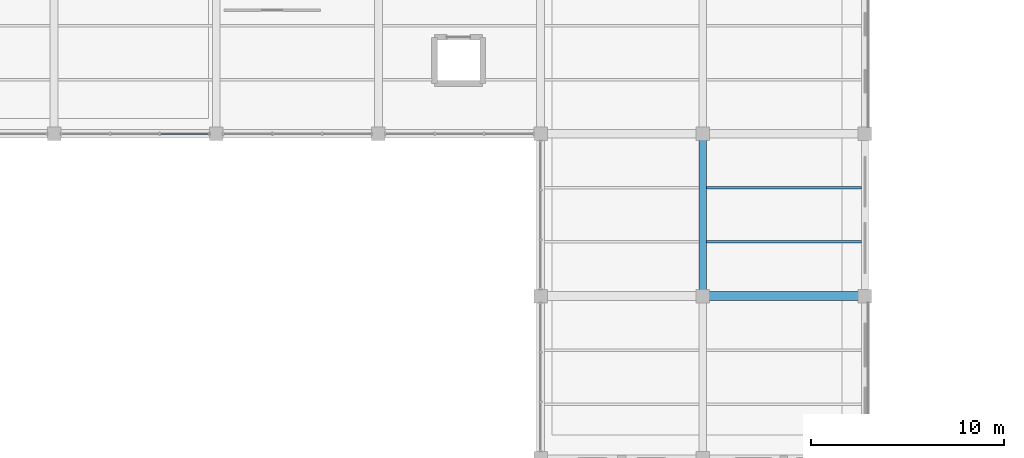
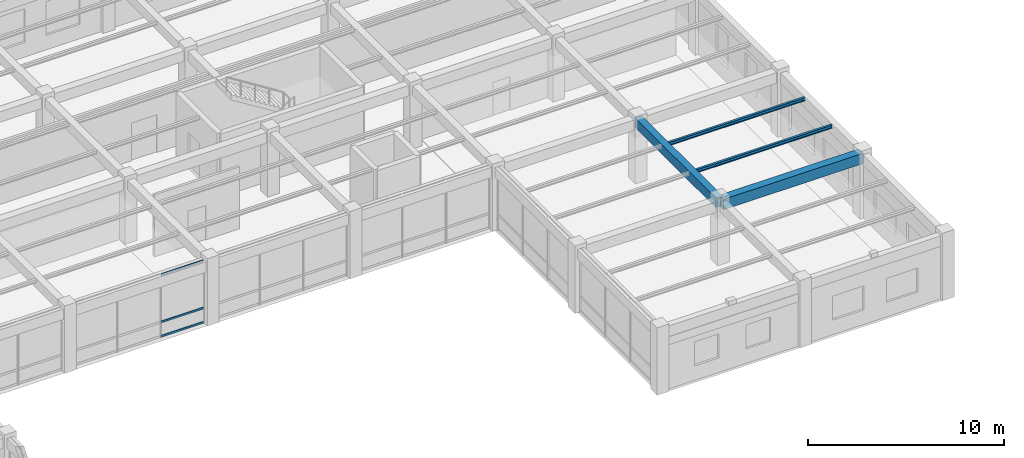
# One storey, part 19 of 152: 4 beams, 3 members, 1 element without a shape of its own.
"""IFC4 building model written with IfcOpenShell, lengths in metres."""

from ifc_helpers import new_model, si_unit, direction, frame, origin, origin_2d, place, context, subcontext, project, spatial, rectangle, hollow_rectangle, i_section, extrude, material, material_profile, profile_set, type_object, element, aggregate, save


model = new_model("IFC4")

# Units and contexts
model_context = context("Model", 3, precision=1e-05, world=origin(), true_north=direction((0.0, 1.0)))
body_context = subcontext(model_context, "Body", "Model", "MODEL_VIEW")
ifc_project = project(units=[si_unit("LENGTHUNIT", "METRE"), si_unit("AREAUNIT", "SQUARE_METRE"), si_unit("VOLUMEUNIT", "CUBIC_METRE"), si_unit("PLANEANGLEUNIT", "RADIAN"), si_unit("MASSUNIT", "GRAM", prefix="KILO"), si_unit("THERMODYNAMICTEMPERATUREUNIT", "KELVIN"), si_unit("POWERUNIT", "WATT")], contexts=[model_context])

# Site, building, storey
site_placement = place(None, origin())
site = spatial("IfcSite", under=ifc_project, at=site_placement, CompositionType="ELEMENT")
building_placement = place(site_placement, origin())
building = spatial("IfcBuilding", under=site, at=building_placement, Name="Darbajah Civic Hall", CompositionType="ELEMENT")
storey_placement = place(building_placement, frame((0.0, 0.0, 5.39990234375)))
storey = spatial("IfcBuildingStorey", under=building, at=storey_placement, Name="L01", CompositionType="ELEMENT", Elevation=5.39990234375)

# Curtain wall, members
ifc_material_1 = material(Name="Anodised Bronze Aluminium and Low-E Glazing", Category="aluminium")
curtain_wall_type = type_object("IfcCurtainWallType", Name="Unitised Curtain Wall CW-99 7700x3950", PredefinedType="USERDEFINED", material=ifc_material_1)
curtain_wall_placement = place(storey_placement, origin())
curtain_wall = element("IfcCurtainWall", 1, at=curtain_wall_placement, inside=storey, type_object=curtain_wall_type, Name="L01 unitised curtain wall CW-V5-L01-S2-B1", ObjectType="UNITISED CURTAIN WALL", PredefinedType="USERDEFINED")
ifc_material_2 = material(Name="Anodised Bronze Aluminium", Category="aluminium")
ifc_material_profile_1 = material_profile(ifc_material_2, hollow_rectangle(XDim=0.06005859375, YDim=0.1201171875, WallThickness=0.003173828125, at=origin_2d()), Name="ALU TRANSOM 60x120")
ifc_profile_set_1 = profile_set([ifc_material_profile_1], Name="Anodised Bronze Aluminium")
member_type = type_object("IfcMemberType", Name="ALU TRANSOM 60x120", PredefinedType="USERDEFINED", material=ifc_profile_set_1)
member_1_placement = place(storey_placement, frame((30.7177734375, 16.800048828125, 0.06005859375), z_axis=(1.0, 0.0, 0.0), x_axis=(0.0, 1.0, 0.0)))
member_1 = element("IfcMember", 2, at=member_1_placement, type_object=member_type, Name="CW-V5-L01-S2-B1 transom 3.1", ObjectType="TRANSOM", PredefinedType="USERDEFINED", context=body_context, shape_type="SweptSolid", body=[
    extrude(hollow_rectangle(XDim=0.06005859375, YDim=0.1201171875, WallThickness=0.003173828125, at=origin_2d()), origin(), (0.0, 0.0, 1.0), 2.4951171875),
])
member_2_placement = place(storey_placement, frame((30.7177734375, 16.800048828125, 0.9501953125), z_axis=(1.0, 0.0, 0.0), x_axis=(0.0, 1.0, 0.0)))
member_2 = element("IfcMember", 3, at=member_2_placement, type_object=member_type, Name="CW-V5-L01-S2-B1 transom 3.2", ObjectType="TRANSOM", PredefinedType="USERDEFINED", context=body_context, shape_type="SweptSolid", body=[
    extrude(hollow_rectangle(XDim=0.06005859375, YDim=0.1201171875, WallThickness=0.003173828125, at=origin_2d()), origin(), (0.0, 0.0, 1.0), 2.4951171875),
])
member_3_placement = place(storey_placement, frame((30.7177734375, 16.800048828125, 3.880126953125), z_axis=(1.0, 0.0, 0.0), x_axis=(0.0, 1.0, 0.0)))
member_3 = element("IfcMember", 4, at=member_3_placement, type_object=member_type, Name="CW-V5-L01-S2-B1 transom 3.3", ObjectType="TRANSOM", PredefinedType="USERDEFINED", context=body_context, shape_type="SweptSolid", body=[
    extrude(hollow_rectangle(XDim=0.06005859375, YDim=0.1201171875, WallThickness=0.003173828125, at=origin_2d()), origin(), (0.0, 0.0, 1.0), 2.4951171875),
])
aggregate(curtain_wall, [member_1, member_2, member_3])

# Beams
ifc_material_3 = material(Name="Concrete C45/55", Category="concrete")
ifc_material_profile_2 = material_profile(ifc_material_3, rectangle(XDim=0.39990234375, YDim=0.60009765625, at=origin_2d()), Name="RC BEAM 400x600")
ifc_profile_set_2 = profile_set([ifc_material_profile_2], Name="Concrete C45/55")
beam_type_1 = type_object("IfcBeamType", Name="RC BEAM 400x600", PredefinedType="BEAM", material=ifc_profile_set_2)
beam_1_placement = place(storey_placement, frame((58.800048828125, 8.47998046875, 3.64013671875), z_axis=(0.0, 1.0, 0.0), x_axis=(-1.0, 0.0, 0.0)))
element("IfcBeam", 5, at=beam_1_placement, inside=storey, type_object=beam_type_1, Name="L01 beam BM-4060", PredefinedType="BEAM", context=body_context, shape_type="SweptSolid", body=[
    extrude(rectangle(XDim=0.39990234375, YDim=0.60009765625, at=origin_2d()), origin(), (0.0, 0.0, 1.0), 8.239990234375),
])
ifc_material_profile_3 = material_profile(ifc_material_3, rectangle(XDim=0.449951171875, YDim=0.64990234375, at=origin_2d()), Name="RC BEAM 450x650")
ifc_profile_set_3 = profile_set([ifc_material_profile_3], Name="Concrete C45/55")
beam_type_2 = type_object("IfcBeamType", Name="RC BEAM 450x650", PredefinedType="BEAM", material=ifc_profile_set_3)
beam_2_placement = place(storey_placement, frame((58.8798828125, 8.39990234375, 3.614990234375), z_axis=(1.0, 0.0, 0.0), x_axis=(0.0, 1.0, 0.0)))
element("IfcBeam", 6, at=beam_2_placement, inside=storey, type_object=beam_type_2, Name="L01 beam BM-4565", PredefinedType="BEAM", context=body_context, shape_type="SweptSolid", body=[
    extrude(rectangle(XDim=0.449951171875, YDim=0.64990234375, at=origin_2d()), origin(), (0.0, 0.0, 1.0), 8.240234375),
])
ifc_material_4 = material(Name="Steel S355JR", Category="steel")
ifc_material_profile_4 = material_profile(ifc_material_4, i_section(OverallWidth=0.1337890625, OverallDepth=0.206787109375, WebThickness=0.00634765625, FlangeThickness=0.009521484375, FilletRadius=0.007568359375, at=origin_2d()), Name="UB 203x133x30")
ifc_profile_set_4 = profile_set([ifc_material_profile_4], Name="Steel S355JR")
beam_type_3 = type_object("IfcBeamType", Name="UB 203x133x30", PredefinedType="JOIST", material=ifc_profile_set_4)
for number, where, z_axis, x_axis, name in (
    (7, (59.0, 11.199951171875, 3.836669921875), (1.0, 0.0, 0.0), (0.0, 1.0, 0.0), "L01 beam SJ-203"),
    (8, (59.0, 14.0, 3.836669921875), (1.0, 0.0, 0.0), (0.0, 1.0, 0.0), "L01 beam SJ-203"),
):
    element("IfcBeam", number, at=place(storey_placement, frame(where, z_axis=z_axis, x_axis=x_axis)), inside=storey, type_object=beam_type_3, Name=name, PredefinedType="JOIST", context=body_context, shape_type="SweptSolid", body=[
        extrude(i_section(OverallWidth=0.1337890625, OverallDepth=0.206787109375, WebThickness=0.00634765625, FlangeThickness=0.009521484375, FilletRadius=0.007568359375, at=origin_2d()), origin(), (0.0, 0.0, 1.0), 8.02490234375),
    ])

save(model, "model.ifc")
